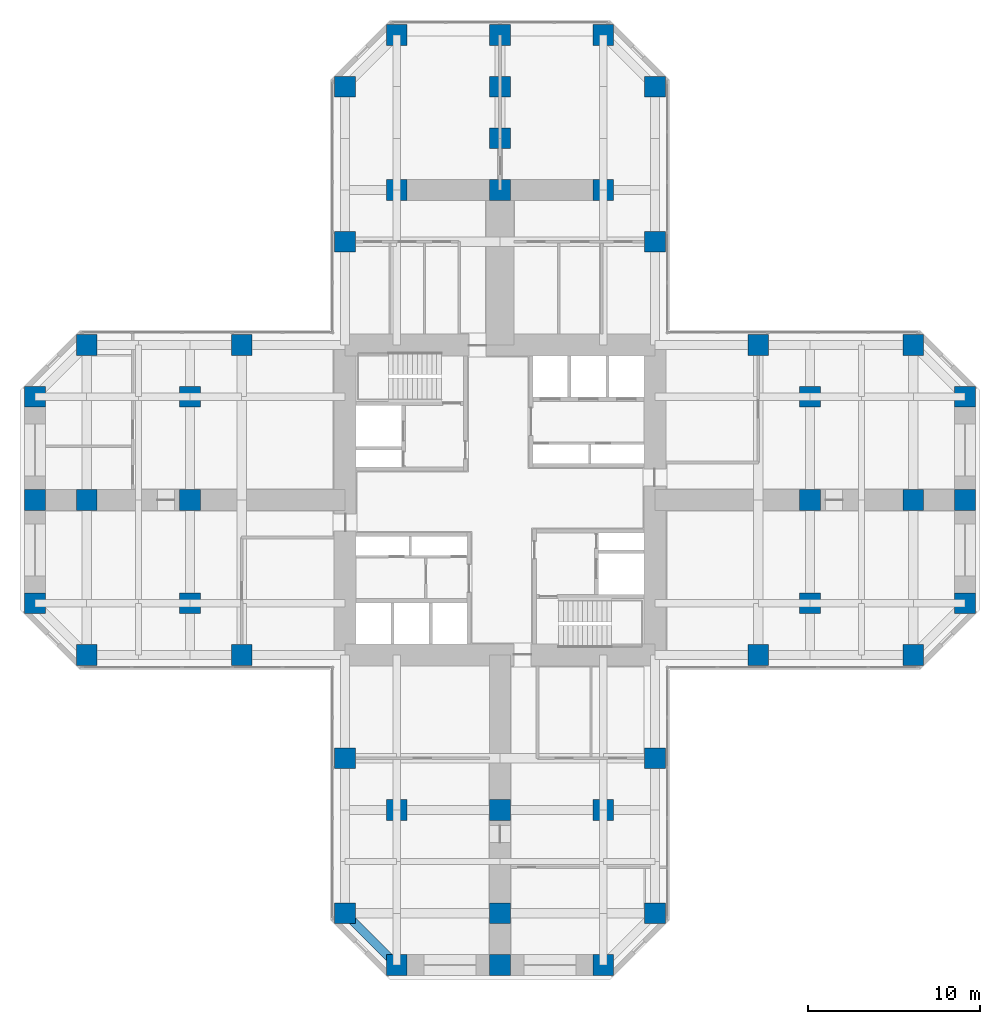
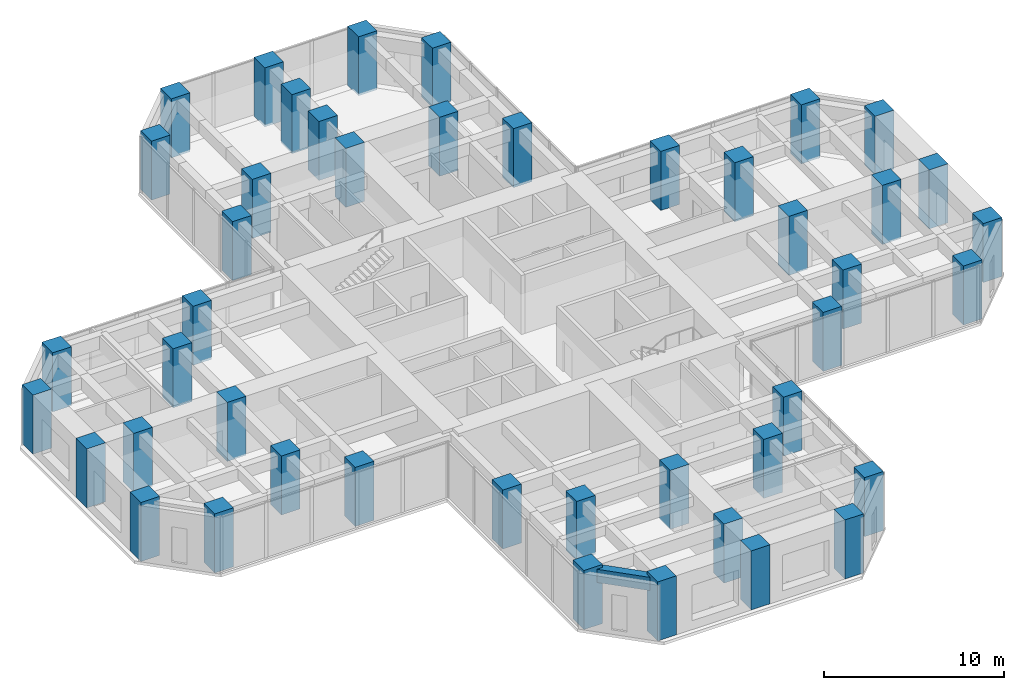
# One storey, part 1 of 12: 45 columns, 1 beam.
"""IFC4 building model written with IfcOpenShell, lengths in metres."""

from ifc_helpers import new_model, si_unit, direction, frame, origin, origin_2d, place, context, subcontext, project, spatial, rectangle, extrude, material, material_profile, profile_set, type_object, element, save


model = new_model("IFC4")

# Units and contexts
model_context = context("Model", 3, precision=1e-05, world=origin(), true_north=direction((0.0, 1.0)))
body_context = subcontext(model_context, "Body", "Model", "MODEL_VIEW")
ifc_project = project(units=[si_unit("LENGTHUNIT", "METRE"), si_unit("AREAUNIT", "SQUARE_METRE"), si_unit("VOLUMEUNIT", "CUBIC_METRE"), si_unit("PLANEANGLEUNIT", "RADIAN"), si_unit("MASSUNIT", "GRAM", prefix="KILO")], contexts=[model_context])

# Site, building, storey
site_placement = place(None, origin())
site = spatial("IfcSite", under=ifc_project, at=site_placement, CompositionType="ELEMENT")
building_placement = place(site_placement, origin())
building = spatial("IfcBuilding", under=site, at=building_placement, Name="Torre Cruceta", CompositionType="ELEMENT")
storey_placement = place(building_placement, frame((0.0, 0.0, 71.5)))
storey = spatial("IfcBuildingStorey", under=building, at=storey_placement, Name="L17", CompositionType="ELEMENT", Elevation=71.5)

# Columns
ifc_material_1 = material(Name="Concrete G60 (fck 60 MPa)", Category="concrete")
ifc_material_profile_1 = material_profile(ifc_material_1, rectangle(XDim=1.199951171875, YDim=1.199951171875, at=origin_2d()), Name="RC 1200X1200")
ifc_profile_set_1 = profile_set([ifc_material_profile_1], Name="Concrete G60 (fck 60 MPa)")
column_type = type_object("IfcColumnType", Name="COLUMN RC 1200X1200", PredefinedType="COLUMN", material=ifc_profile_set_1)
for number, where, z_axis, x_axis, name in (
    (1, (9.0, 15.0, 0.0), (0.0, 0.0, 1.0), (1.0, 0.0, 0.0), "C3 L17 N side"),
    (2, (9.0, 24.0, 0.0), (0.0, 0.0, 1.0), (1.0, 0.0, 0.0), "C3 L17 N chamfer"),
    (3, (-9.0, 15.0, 0.0), (0.0, 0.0, 1.0), (1.0, 0.0, 0.0), "C3 L17 N side"),
    (4, (-9.0, 24.0, 0.0), (0.0, 0.0, 1.0), (1.0, 0.0, 0.0), "C3 L17 N chamfer"),
    (5, (6.0, 27.0, 0.0), (0.0, 0.0, 1.0), (1.0, 0.0, 0.0), "C3 L17 N tip"),
    (6, (0.0, 27.0, 0.0), (0.0, 0.0, 1.0), (1.0, 0.0, 0.0), "C3 L17 N tip"),
    (7, (-6.0, 27.0, 0.0), (0.0, 0.0, 1.0), (1.0, 0.0, 0.0), "C3 L17 N tip"),
    (8, (15.0, -9.0, 0.0), (0.0, 0.0, 1.0), (1.0, 0.0, 0.0), "C3 L17 E side"),
    (9, (24.0, -9.0, 0.0), (0.0, 0.0, 1.0), (1.0, 0.0, 0.0), "C3 L17 E chamfer"),
    (10, (15.0, 9.0, 0.0), (0.0, 0.0, 1.0), (1.0, 0.0, 0.0), "C3 L17 E side"),
    (11, (24.0, 9.0, 0.0), (0.0, 0.0, 1.0), (1.0, 0.0, 0.0), "C3 L17 E chamfer"),
    (12, (27.0, -6.0, 0.0), (0.0, 0.0, 1.0), (1.0, 0.0, 0.0), "C3 L17 E tip"),
    (13, (27.0, 0.0, 0.0), (0.0, 0.0, 1.0), (1.0, 0.0, 0.0), "C3 L17 E tip"),
    (14, (27.0, 6.0, 0.0), (0.0, 0.0, 1.0), (1.0, 0.0, 0.0), "C3 L17 E tip"),
    (15, (-9.0, -15.0, 0.0), (0.0, 0.0, 1.0), (1.0, 0.0, 0.0), "C3 L17 S side"),
    (16, (-9.0, -24.0, 0.0), (0.0, 0.0, 1.0), (1.0, 0.0, 0.0), "C3 L17 S chamfer"),
    (17, (9.0, -15.0, 0.0), (0.0, 0.0, 1.0), (1.0, 0.0, 0.0), "C3 L17 S side"),
    (18, (9.0, -24.0, 0.0), (0.0, 0.0, 1.0), (1.0, 0.0, 0.0), "C3 L17 S chamfer"),
    (19, (-6.0, -27.0, 0.0), (0.0, 0.0, 1.0), (1.0, 0.0, 0.0), "C3 L17 S tip"),
    (20, (0.0, -27.0, 0.0), (0.0, 0.0, 1.0), (1.0, 0.0, 0.0), "C3 L17 S tip"),
    (21, (6.0, -27.0, 0.0), (0.0, 0.0, 1.0), (1.0, 0.0, 0.0), "C3 L17 S tip"),
    (22, (-15.0, 9.0, 0.0), (0.0, 0.0, 1.0), (1.0, 0.0, 0.0), "C3 L17 W side"),
    (23, (-24.0, 9.0, 0.0), (0.0, 0.0, 1.0), (1.0, 0.0, 0.0), "C3 L17 W chamfer"),
    (24, (-15.0, -9.0, 0.0), (0.0, 0.0, 1.0), (1.0, 0.0, 0.0), "C3 L17 W side"),
    (25, (-24.0, -9.0, 0.0), (0.0, 0.0, 1.0), (1.0, 0.0, 0.0), "C3 L17 W chamfer"),
    (26, (-27.0, 6.0, 0.0), (0.0, 0.0, 1.0), (1.0, 0.0, 0.0), "C3 L17 W tip"),
    (27, (-27.0, 0.0, 0.0), (0.0, 0.0, 1.0), (1.0, 0.0, 0.0), "C3 L17 W tip"),
    (28, (-27.0, -6.0, 0.0), (0.0, 0.0, 1.0), (1.0, 0.0, 0.0), "C3 L17 W tip"),
    (29, (6.0, 18.0, 0.0), (0.0, 0.0, 1.0), (1.0, 0.0, 0.0), "C3 L17 N interior"),
    (30, (0.0, 18.0, 0.0), (0.0, 0.0, 1.0), (1.0, 0.0, 0.0), "C3 L17 N interior"),
    (31, (-6.0, 18.0, 0.0), (0.0, 0.0, 1.0), (1.0, 0.0, 0.0), "C3 L17 N interior"),
    (32, (0.0, 21.0, 0.0), (0.0, 0.0, 1.0), (1.0, 0.0, 0.0), "C3 L17 N interior"),
    (33, (0.0, 24.0, 0.0), (0.0, 0.0, 1.0), (1.0, 0.0, 0.0), "C3 L17 N interior"),
    (34, (18.0, -6.0, 0.0), (0.0, 0.0, 1.0), (1.0, 0.0, 0.0), "C3 L17 E interior"),
    (35, (18.0, 0.0, 0.0), (0.0, 0.0, 1.0), (1.0, 0.0, 0.0), "C3 L17 E interior"),
    (36, (18.0, 6.0, 0.0), (0.0, 0.0, 1.0), (1.0, 0.0, 0.0), "C3 L17 E interior"),
    (37, (24.0, 0.0, 0.0), (0.0, 0.0, 1.0), (1.0, 0.0, 0.0), "C3 L17 E interior"),
    (38, (-6.0, -18.0, 0.0), (0.0, 0.0, 1.0), (1.0, 0.0, 0.0), "C3 L17 S interior"),
    (39, (0.0, -18.0, 0.0), (0.0, 0.0, 1.0), (1.0, 0.0, 0.0), "C3 L17 S interior"),
    (40, (6.0, -18.0, 0.0), (0.0, 0.0, 1.0), (1.0, 0.0, 0.0), "C3 L17 S interior"),
    (41, (0.0, -24.0, 0.0), (0.0, 0.0, 1.0), (1.0, 0.0, 0.0), "C3 L17 S interior"),
    (42, (-18.0, 6.0, 0.0), (0.0, 0.0, 1.0), (1.0, 0.0, 0.0), "C3 L17 W interior"),
    (43, (-18.0, 0.0, 0.0), (0.0, 0.0, 1.0), (1.0, 0.0, 0.0), "C3 L17 W interior"),
    (44, (-18.0, -6.0, 0.0), (0.0, 0.0, 1.0), (1.0, 0.0, 0.0), "C3 L17 W interior"),
    (45, (-24.0, 0.0, 0.0), (0.0, 0.0, 1.0), (1.0, 0.0, 0.0), "C3 L17 W interior"),
):
    element("IfcColumn", number, at=place(storey_placement, frame(where, z_axis=z_axis, x_axis=x_axis)), inside=storey, type_object=column_type, Name=name, PredefinedType="COLUMN", context=body_context, shape_type="SweptSolid", body=[
        extrude(rectangle(XDim=1.199951171875, YDim=1.199951171875, at=origin_2d()), origin(), (0.0, 0.0, 1.0), 4.0),
    ])

# Beam
ifc_material_2 = material(Name="Concrete G60 (fck 60 MPa)", Category="concrete")
ifc_material_profile_2 = material_profile(ifc_material_2, rectangle(XDim=0.5, YDim=0.89990234375, at=origin_2d()), Name="RC 500X900")
ifc_profile_set_2 = profile_set([ifc_material_profile_2], Name="Concrete G60 (fck 60 MPa)")
beam_type = type_object("IfcBeamType", Name="SPANDREL BEAM RC 500X900", PredefinedType="SPANDREL", material=ifc_profile_set_2)
beam_placement = place(storey_placement, frame((-9.0, -24.0, 3.35009765625), z_axis=(0.707106781187, -0.707106781187, 0.0), x_axis=(0.707106781187, 0.707106781187, 0.0)))
element("IfcBeam", 46, at=beam_placement, inside=storey, type_object=beam_type, Name="SB4 L17 S side- 5", PredefinedType="SPANDREL", context=body_context, shape_type="SweptSolid", body=[
    extrude(rectangle(XDim=0.5, YDim=0.89990234375, at=origin_2d()), origin(), (0.0, 0.0, 1.0), 4.24267578125),
])

save(model, "model.ifc")
